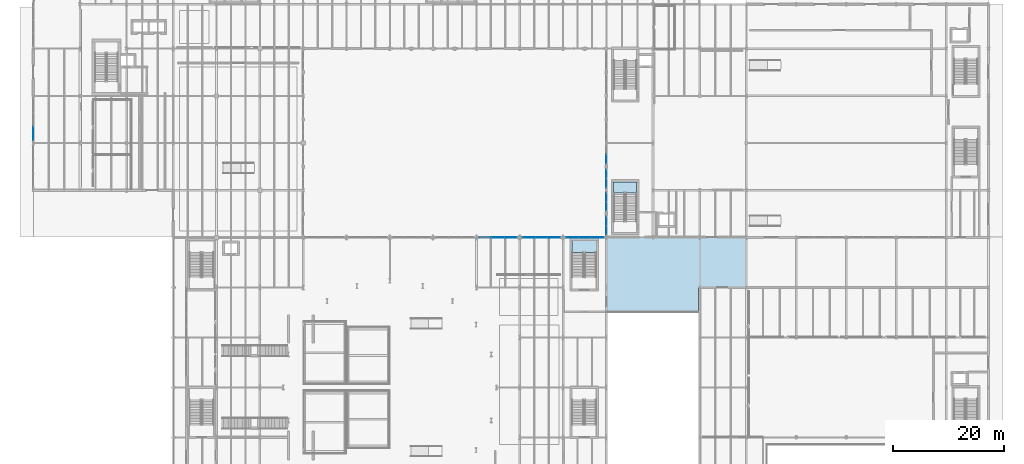
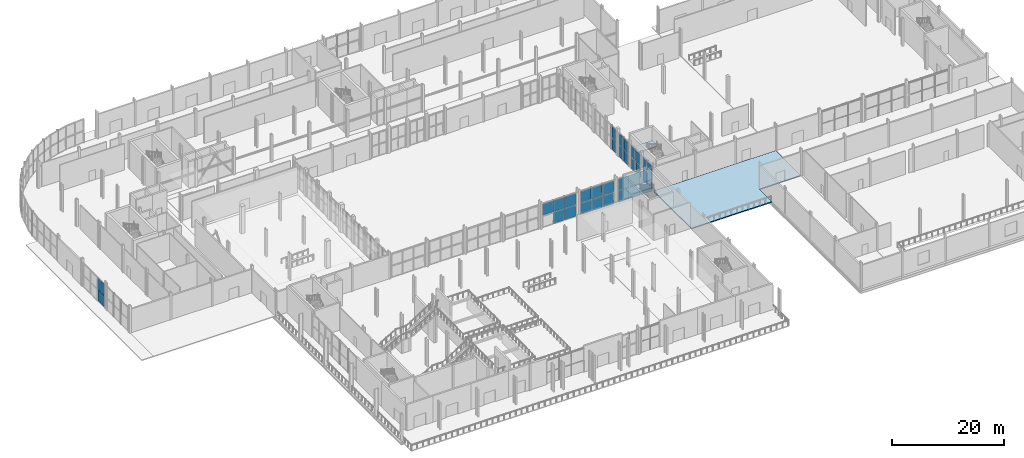
# One storey, part 47 of 84: 33 plates, 3 slabs, 10 elements without a shape of their own.
"""IFC4 building model written with IfcOpenShell, lengths in metres."""

from ifc_helpers import new_model, si_unit, direction, frame, origin, origin_2d, place, context, subcontext, project, spatial, polyline, rectangle, outline, extrude, material, layer, layer_set, type_object, element, aggregate, save


model = new_model("IFC4")

# Units and contexts
model_context = context("Model", 3, precision=1e-05, world=origin(), true_north=direction((0.0, 1.0)))
body_context = subcontext(model_context, "Body", "Model", "MODEL_VIEW")
ifc_project = project(units=[si_unit("LENGTHUNIT", "METRE"), si_unit("AREAUNIT", "SQUARE_METRE"), si_unit("VOLUMEUNIT", "CUBIC_METRE"), si_unit("PLANEANGLEUNIT", "RADIAN"), si_unit("MASSUNIT", "GRAM", prefix="KILO")], contexts=[model_context])

# Site, building, storey
site_placement = place(None, origin())
site = spatial("IfcSite", under=ifc_project, at=site_placement, CompositionType="ELEMENT")
building_placement = place(site_placement, origin())
building = spatial("IfcBuilding", under=site, at=building_placement, Name="Sefraquen Railside Congress Hotel", CompositionType="ELEMENT")
storey_placement = place(building_placement, origin())
storey = spatial("IfcBuildingStorey", under=building, at=storey_placement, Name="L00", CompositionType="ELEMENT", Elevation=0.0)

# Curtain wall, plates
ifc_material_1 = material(Name="Thermally broken anodised aluminium and low-E double glazing", Category="aluminium")
ifc_layer_1 = layer(ifc_material_1, 0.199951171875)
ifc_layer_set_1 = layer_set([ifc_layer_1], Name="Thermally broken anodised aluminium and low-E double glazing")
curtain_wall_type_1 = type_object("IfcCurtainWallType", Name="TCW-UCW-08", PredefinedType="USERDEFINED", material=ifc_layer_set_1)
curtain_wall_1_placement = place(storey_placement, origin())
curtain_wall_1 = element("IfcCurtainWall", 1, at=curtain_wall_1_placement, inside=storey, type_object=curtain_wall_type_1, Name="Congress courtyard north curtain wall L00-3", ObjectType="UNITISED CURTAIN WALL", PredefinedType="USERDEFINED")
ifc_material_2 = material(Name="Solar-control low-E double glazing", Category="glass")
ifc_layer_2 = layer(ifc_material_2, 0.02392578125)
ifc_layer_set_2 = layer_set([ifc_layer_2], Name="Solar-control low-E double glazing")
plate_type_1 = type_object("IfcPlateType", Name="TP-CWP-01", PredefinedType="CURTAIN_PANEL", material=ifc_layer_set_2)
plate_1_placement = place(storey_placement, frame((83.679931640625, 54.0, 0.0400390625), z_axis=(0.0, 0.0, 1.0), x_axis=(1.0, 0.0, 0.0)))
plate_1 = element("IfcPlate", 2, at=plate_1_placement, type_object=plate_type_1, Name="CW-L00-008 panel 1.2", PredefinedType="CURTAIN_PANEL", context=body_context, shape_type="SweptSolid", body=[
    extrude(rectangle(XDim=2.203369140625, YDim=0.02392578125, at=origin_2d()), origin(), (0.0, 0.0, 1.0), 2.4951171875),
])
plate_2_placement = place(storey_placement, frame((85.973388671875, 54.0, 0.0400390625), z_axis=(0.0, 0.0, 1.0), x_axis=(1.0, 0.0, 0.0)))
plate_2 = element("IfcPlate", 3, at=plate_2_placement, type_object=plate_type_1, Name="CW-L00-008 panel 1.3", PredefinedType="CURTAIN_PANEL", context=body_context, shape_type="SweptSolid", body=[
    extrude(rectangle(XDim=2.203369140625, YDim=0.02392578125, at=origin_2d()), origin(), (0.0, 0.0, 1.0), 2.4951171875),
])

curtain_wall_2_placement = place(storey_placement, origin())
curtain_wall_2 = element("IfcCurtainWall", 4, at=curtain_wall_2_placement, inside=storey, type_object=curtain_wall_type_1, Name="Congress courtyard north curtain wall L00-3 bay 2", ObjectType="UNITISED CURTAIN WALL", PredefinedType="USERDEFINED")
plate_3_placement = place(storey_placement, frame((89.219970703125, 54.0, 0.0400390625), z_axis=(0.0, 0.0, 1.0), x_axis=(1.0, 0.0, 0.0)))
plate_3 = element("IfcPlate", 5, at=plate_3_placement, type_object=plate_type_1, Name="CW-L00-008-S2 panel 1.1", PredefinedType="CURTAIN_PANEL", context=body_context, shape_type="SweptSolid", body=[
    extrude(rectangle(XDim=2.18994140625, YDim=0.02392578125, at=origin_2d()), origin(), (0.0, 0.0, 1.0), 2.4951171875),
])
plate_4_placement = place(storey_placement, frame((91.5, 54.0, 0.0400390625), z_axis=(0.0, 0.0, 1.0), x_axis=(1.0, 0.0, 0.0)))
plate_4 = element("IfcPlate", 6, at=plate_4_placement, type_object=plate_type_1, Name="CW-L00-008-S2 panel 1.2", PredefinedType="CURTAIN_PANEL", context=body_context, shape_type="SweptSolid", body=[
    extrude(rectangle(XDim=2.18994140625, YDim=0.02392578125, at=origin_2d()), origin(), (0.0, 0.0, 1.0), 2.4951171875),
])
plate_5_placement = place(storey_placement, frame((93.780029296875, 54.0, 0.0400390625), z_axis=(0.0, 0.0, 1.0), x_axis=(1.0, 0.0, 0.0)))
plate_5 = element("IfcPlate", 7, at=plate_5_placement, type_object=plate_type_1, Name="CW-L00-008-S2 panel 1.3", PredefinedType="CURTAIN_PANEL", context=body_context, shape_type="SweptSolid", body=[
    extrude(rectangle(XDim=2.18994140625, YDim=0.02392578125, at=origin_2d()), origin(), (0.0, 0.0, 1.0), 2.4951171875),
])

curtain_wall_3_placement = place(storey_placement, origin())
curtain_wall_3 = element("IfcCurtainWall", 8, at=curtain_wall_3_placement, inside=storey, type_object=curtain_wall_type_1, Name="Congress courtyard north curtain wall L00-3 bay 3", ObjectType="UNITISED CURTAIN WALL", PredefinedType="USERDEFINED")
plate_6_placement = place(storey_placement, frame((97.026611328125, 54.0, 0.0400390625), z_axis=(0.0, 0.0, 1.0), x_axis=(1.0, 0.0, 0.0)))
plate_6 = element("IfcPlate", 9, at=plate_6_placement, type_object=plate_type_1, Name="CW-L00-008-S3 panel 1.1", PredefinedType="CURTAIN_PANEL", context=body_context, shape_type="SweptSolid", body=[
    extrude(rectangle(XDim=2.203369140625, YDim=0.02392578125, at=origin_2d()), origin(), (0.0, 0.0, 1.0), 2.4951171875),
])
plate_7_placement = place(storey_placement, frame((99.320068359375, 54.0, 0.0400390625), z_axis=(0.0, 0.0, 1.0), x_axis=(1.0, 0.0, 0.0)))
plate_7 = element("IfcPlate", 10, at=plate_7_placement, type_object=plate_type_1, Name="CW-L00-008-S3 panel 1.2", PredefinedType="CURTAIN_PANEL", context=body_context, shape_type="SweptSolid", body=[
    extrude(rectangle(XDim=2.203369140625, YDim=0.02392578125, at=origin_2d()), origin(), (0.0, 0.0, 1.0), 2.4951171875),
])
plate_8_placement = place(storey_placement, frame((101.61328125, 54.0, 0.0400390625), z_axis=(0.0, 0.0, 1.0), x_axis=(1.0, 0.0, 0.0)))
plate_8 = element("IfcPlate", 11, at=plate_8_placement, type_object=plate_type_1, Name="CW-L00-008-S3 panel 1.3", PredefinedType="CURTAIN_PANEL", context=body_context, shape_type="SweptSolid", body=[
    extrude(rectangle(XDim=2.203369140625, YDim=0.02392578125, at=origin_2d()), origin(), (0.0, 0.0, 1.0), 2.4951171875),
])

ifc_layer_3 = layer(ifc_material_1, 0.199951171875)
ifc_layer_set_3 = layer_set([ifc_layer_3], Name="Thermally broken anodised aluminium and low-E double glazing")
curtain_wall_type_2 = type_object("IfcCurtainWallType", Name="TCW-UCW-16", PredefinedType="USERDEFINED", material=ifc_layer_set_3)
curtain_wall_4_placement = place(storey_placement, origin())
curtain_wall_4 = element("IfcCurtainWall", 12, at=curtain_wall_4_placement, inside=storey, type_object=curtain_wall_type_2, Name="Courtyard east arcade curtain wall UCW-16", ObjectType="UNITISED CURTAIN WALL", PredefinedType="USERDEFINED")
plate_9_placement = place(storey_placement, frame((103.199951171875, 55.2724609375, 0.0400390625), z_axis=(0.0, 0.0, 1.0), x_axis=(0.0, 1.0, 0.0)))
plate_9 = element("IfcPlate", 13, at=plate_9_placement, type_object=plate_type_1, Name="CW-L00-016 panel 1.1", PredefinedType="CURTAIN_PANEL", context=body_context, shape_type="SweptSolid", body=[
    extrude(rectangle(XDim=1.574951171875, YDim=0.02392578125, at=origin_2d()), origin(), (0.0, 0.0, 1.0), 2.4951171875),
])
plate_10_placement = place(storey_placement, frame((103.199951171875, 56.9375, 0.0400390625), z_axis=(0.0, 0.0, 1.0), x_axis=(0.0, 1.0, 0.0)))
plate_10 = element("IfcPlate", 14, at=plate_10_placement, type_object=plate_type_1, Name="CW-L00-016 panel 1.2", PredefinedType="CURTAIN_PANEL", context=body_context, shape_type="SweptSolid", body=[
    extrude(rectangle(XDim=1.574951171875, YDim=0.02392578125, at=origin_2d()), origin(), (0.0, 0.0, 1.0), 2.4951171875),
])

curtain_wall_5_placement = place(storey_placement, origin())
curtain_wall_5 = element("IfcCurtainWall", 15, at=curtain_wall_5_placement, inside=storey, type_object=curtain_wall_type_2, Name="Courtyard east arcade curtain wall UCW-16 bay 2", ObjectType="UNITISED CURTAIN WALL", PredefinedType="USERDEFINED")
plate_11_placement = place(storey_placement, frame((103.199951171875, 59.5625, 0.0400390625), z_axis=(0.0, 0.0, 1.0), x_axis=(0.0, 1.0, 0.0)))
plate_11 = element("IfcPlate", 16, at=plate_11_placement, type_object=plate_type_1, Name="CW-L00-016-S2 panel 1.1", PredefinedType="CURTAIN_PANEL", context=body_context, shape_type="SweptSolid", body=[
    extrude(rectangle(XDim=1.574951171875, YDim=0.02392578125, at=origin_2d()), origin(), (0.0, 0.0, 1.0), 2.4951171875),
])
plate_12_placement = place(storey_placement, frame((103.199951171875, 61.2275390625, 0.0400390625), z_axis=(0.0, 0.0, 1.0), x_axis=(0.0, 1.0, 0.0)))
plate_12 = element("IfcPlate", 17, at=plate_12_placement, type_object=plate_type_1, Name="CW-L00-016-S2 panel 1.2", PredefinedType="CURTAIN_PANEL", context=body_context, shape_type="SweptSolid", body=[
    extrude(rectangle(XDim=1.574951171875, YDim=0.02392578125, at=origin_2d()), origin(), (0.0, 0.0, 1.0), 2.4951171875),
])

ifc_layer_4 = layer(ifc_material_1, 0.199951171875)
ifc_layer_set_4 = layer_set([ifc_layer_4], Name="Thermally broken anodised aluminium and low-E double glazing")
curtain_wall_type_3 = type_object("IfcCurtainWallType", Name="TCW-UCW-18", PredefinedType="USERDEFINED", material=ifc_layer_set_4)
curtain_wall_6_placement = place(storey_placement, origin())
curtain_wall_6 = element("IfcCurtainWall", 18, at=curtain_wall_6_placement, inside=storey, type_object=curtain_wall_type_3, Name="Courtyard east arcade curtain wall UCW-18", ObjectType="UNITISED CURTAIN WALL", PredefinedType="USERDEFINED")
plate_13_placement = place(storey_placement, frame((103.199951171875, 63.7724609375, 0.0400390625), z_axis=(0.0, 0.0, 1.0), x_axis=(0.0, 1.0, 0.0)))
plate_13 = element("IfcPlate", 19, at=plate_13_placement, type_object=plate_type_1, Name="CW-L00-018 panel 1.1", PredefinedType="CURTAIN_PANEL", context=body_context, shape_type="SweptSolid", body=[
    extrude(rectangle(XDim=1.574951171875, YDim=0.02392578125, at=origin_2d()), origin(), (0.0, 0.0, 1.0), 2.4951171875),
])
plate_14_placement = place(storey_placement, frame((103.199951171875, 65.4375, 0.0400390625), z_axis=(0.0, 0.0, 1.0), x_axis=(0.0, 1.0, 0.0)))
plate_14 = element("IfcPlate", 20, at=plate_14_placement, type_object=plate_type_1, Name="CW-L00-018 panel 1.2", PredefinedType="CURTAIN_PANEL", context=body_context, shape_type="SweptSolid", body=[
    extrude(rectangle(XDim=1.574951171875, YDim=0.02392578125, at=origin_2d()), origin(), (0.0, 0.0, 1.0), 2.4951171875),
])

# Curtain wall, plate
curtain_wall_7_placement = place(storey_placement, origin())
curtain_wall_7 = element("IfcCurtainWall", 21, at=curtain_wall_7_placement, inside=storey, type_object=curtain_wall_type_3, Name="Courtyard east arcade curtain wall UCW-18 bay 2", ObjectType="UNITISED CURTAIN WALL", PredefinedType="USERDEFINED")
plate_15_placement = place(storey_placement, frame((103.199951171875, 68.0625, 0.0400390625), z_axis=(0.0, 0.0, 1.0), x_axis=(0.0, 1.0, 0.0)))
plate_15 = element("IfcPlate", 22, at=plate_15_placement, type_object=plate_type_1, Name="CW-L00-018-S2 panel 1.1", PredefinedType="CURTAIN_PANEL", context=body_context, shape_type="SweptSolid", body=[
    extrude(rectangle(XDim=1.574951171875, YDim=0.02392578125, at=origin_2d()), origin(), (0.0, 0.0, 1.0), 2.4951171875),
])

ifc_layer_5 = layer(ifc_material_1, 0.199951171875)
ifc_layer_set_5 = layer_set([ifc_layer_5], Name="Thermally broken anodised aluminium and low-E double glazing")
curtain_wall_type_4 = type_object("IfcCurtainWallType", Name="TCW-UCW-26", PredefinedType="USERDEFINED", material=ifc_layer_set_5)
curtain_wall_8_placement = place(storey_placement, origin())
curtain_wall_8 = element("IfcCurtainWall", 23, at=curtain_wall_8_placement, inside=storey, type_object=curtain_wall_type_4, Name="Hotel West Forecourt curtain wall UCW-26", ObjectType="UNITISED CURTAIN WALL", PredefinedType="USERDEFINED")
plate_16_placement = place(storey_placement, frame((0.0, 72.7099609375, 0.0400390625), z_axis=(0.0, 0.0, 1.0), x_axis=(0.0, 1.0, 0.0)))
plate_16 = element("IfcPlate", 24, at=plate_16_placement, type_object=plate_type_1, Name="CW-L00-026 panel 1.1", PredefinedType="CURTAIN_PANEL", context=body_context, shape_type="SweptSolid", body=[
    extrude(rectangle(XDim=2.449951171875, YDim=0.02392578125, at=origin_2d()), origin(), (0.0, 0.0, 1.0), 2.4951171875),
])

# Plate
ifc_material_3 = material(Name="Triple acoustic solar-control glazing", Category="glass")
ifc_layer_6 = layer(ifc_material_3, 0.031982421875)
ifc_layer_set_6 = layer_set([ifc_layer_6], Name="Triple acoustic solar-control glazing")
plate_type_2 = type_object("IfcPlateType", Name="TP-CWP-02", PredefinedType="CURTAIN_PANEL", material=ifc_layer_set_6)
plate_17_placement = place(storey_placement, frame((81.38671875, 54.0, 2.614990234375), z_axis=(0.0, 0.0, 1.0), x_axis=(1.0, 0.0, 0.0)))
plate_17 = element("IfcPlate", 25, at=plate_17_placement, type_object=plate_type_2, Name="CW-L00-008 panel 2.1", PredefinedType="CURTAIN_PANEL", context=body_context, shape_type="SweptSolid", body=[
    extrude(rectangle(XDim=2.203369140625, YDim=0.031982421875, at=origin_2d()), origin(), (0.0, 0.0, 1.0), 2.4951171875),
])

plate_18_placement = place(storey_placement, frame((83.679931640625, 54.0, 2.614990234375), z_axis=(0.0, 0.0, 1.0), x_axis=(1.0, 0.0, 0.0)))
plate_18 = element("IfcPlate", 26, at=plate_18_placement, type_object=plate_type_2, Name="CW-L00-008 panel 2.2", PredefinedType="CURTAIN_PANEL", context=body_context, shape_type="SweptSolid", body=[
    extrude(rectangle(XDim=2.203369140625, YDim=0.031982421875, at=origin_2d()), origin(), (0.0, 0.0, 1.0), 2.4951171875),
])

plate_19_placement = place(storey_placement, frame((85.973388671875, 54.0, 2.614990234375), z_axis=(0.0, 0.0, 1.0), x_axis=(1.0, 0.0, 0.0)))
plate_19 = element("IfcPlate", 27, at=plate_19_placement, type_object=plate_type_2, Name="CW-L00-008 panel 2.3", PredefinedType="CURTAIN_PANEL", context=body_context, shape_type="SweptSolid", body=[
    extrude(rectangle(XDim=2.203369140625, YDim=0.031982421875, at=origin_2d()), origin(), (0.0, 0.0, 1.0), 2.4951171875),
])

aggregate(curtain_wall_1, [plate_1, plate_2, plate_17, plate_18, plate_19])

plate_20_placement = place(storey_placement, frame((89.219970703125, 54.0, 2.614990234375), z_axis=(0.0, 0.0, 1.0), x_axis=(1.0, 0.0, 0.0)))
plate_20 = element("IfcPlate", 28, at=plate_20_placement, type_object=plate_type_2, Name="CW-L00-008-S2 panel 2.1", PredefinedType="CURTAIN_PANEL", context=body_context, shape_type="SweptSolid", body=[
    extrude(rectangle(XDim=2.18994140625, YDim=0.031982421875, at=origin_2d()), origin(), (0.0, 0.0, 1.0), 2.4951171875),
])

plate_21_placement = place(storey_placement, frame((91.5, 54.0, 2.614990234375), z_axis=(0.0, 0.0, 1.0), x_axis=(1.0, 0.0, 0.0)))
plate_21 = element("IfcPlate", 29, at=plate_21_placement, type_object=plate_type_2, Name="CW-L00-008-S2 panel 2.2", PredefinedType="CURTAIN_PANEL", context=body_context, shape_type="SweptSolid", body=[
    extrude(rectangle(XDim=2.18994140625, YDim=0.031982421875, at=origin_2d()), origin(), (0.0, 0.0, 1.0), 2.4951171875),
])

plate_22_placement = place(storey_placement, frame((93.780029296875, 54.0, 2.614990234375), z_axis=(0.0, 0.0, 1.0), x_axis=(1.0, 0.0, 0.0)))
plate_22 = element("IfcPlate", 30, at=plate_22_placement, type_object=plate_type_2, Name="CW-L00-008-S2 panel 2.3", PredefinedType="CURTAIN_PANEL", context=body_context, shape_type="SweptSolid", body=[
    extrude(rectangle(XDim=2.18994140625, YDim=0.031982421875, at=origin_2d()), origin(), (0.0, 0.0, 1.0), 2.4951171875),
])

aggregate(curtain_wall_2, [plate_3, plate_4, plate_5, plate_20, plate_21, plate_22])

plate_23_placement = place(storey_placement, frame((97.026611328125, 54.0, 2.614990234375), z_axis=(0.0, 0.0, 1.0), x_axis=(1.0, 0.0, 0.0)))
plate_23 = element("IfcPlate", 31, at=plate_23_placement, type_object=plate_type_2, Name="CW-L00-008-S3 panel 2.1", PredefinedType="CURTAIN_PANEL", context=body_context, shape_type="SweptSolid", body=[
    extrude(rectangle(XDim=2.203369140625, YDim=0.031982421875, at=origin_2d()), origin(), (0.0, 0.0, 1.0), 2.4951171875),
])

plate_24_placement = place(storey_placement, frame((99.320068359375, 54.0, 2.614990234375), z_axis=(0.0, 0.0, 1.0), x_axis=(1.0, 0.0, 0.0)))
plate_24 = element("IfcPlate", 32, at=plate_24_placement, type_object=plate_type_2, Name="CW-L00-008-S3 panel 2.2", PredefinedType="CURTAIN_PANEL", context=body_context, shape_type="SweptSolid", body=[
    extrude(rectangle(XDim=2.203369140625, YDim=0.031982421875, at=origin_2d()), origin(), (0.0, 0.0, 1.0), 2.4951171875),
])

plate_25_placement = place(storey_placement, frame((101.61328125, 54.0, 2.614990234375), z_axis=(0.0, 0.0, 1.0), x_axis=(1.0, 0.0, 0.0)))
plate_25 = element("IfcPlate", 33, at=plate_25_placement, type_object=plate_type_2, Name="CW-L00-008-S3 panel 2.3", PredefinedType="CURTAIN_PANEL", context=body_context, shape_type="SweptSolid", body=[
    extrude(rectangle(XDim=2.203369140625, YDim=0.031982421875, at=origin_2d()), origin(), (0.0, 0.0, 1.0), 2.4951171875),
])

aggregate(curtain_wall_3, [plate_6, plate_7, plate_8, plate_23, plate_24, plate_25])

plate_26_placement = place(storey_placement, frame((103.199951171875, 55.2724609375, 2.614990234375), z_axis=(0.0, 0.0, 1.0), x_axis=(0.0, 1.0, 0.0)))
plate_26 = element("IfcPlate", 34, at=plate_26_placement, type_object=plate_type_2, Name="CW-L00-016 panel 2.1", PredefinedType="CURTAIN_PANEL", context=body_context, shape_type="SweptSolid", body=[
    extrude(rectangle(XDim=1.574951171875, YDim=0.031982421875, at=origin_2d()), origin(), (0.0, 0.0, 1.0), 2.4951171875),
])

plate_27_placement = place(storey_placement, frame((103.199951171875, 56.9375, 2.614990234375), z_axis=(0.0, 0.0, 1.0), x_axis=(0.0, 1.0, 0.0)))
plate_27 = element("IfcPlate", 35, at=plate_27_placement, type_object=plate_type_2, Name="CW-L00-016 panel 2.2", PredefinedType="CURTAIN_PANEL", context=body_context, shape_type="SweptSolid", body=[
    extrude(rectangle(XDim=1.574951171875, YDim=0.031982421875, at=origin_2d()), origin(), (0.0, 0.0, 1.0), 2.4951171875),
])

aggregate(curtain_wall_4, [plate_9, plate_10, plate_26, plate_27])

plate_28_placement = place(storey_placement, frame((103.199951171875, 59.5625, 2.614990234375), z_axis=(0.0, 0.0, 1.0), x_axis=(0.0, 1.0, 0.0)))
plate_28 = element("IfcPlate", 36, at=plate_28_placement, type_object=plate_type_2, Name="CW-L00-016-S2 panel 2.1", PredefinedType="CURTAIN_PANEL", context=body_context, shape_type="SweptSolid", body=[
    extrude(rectangle(XDim=1.574951171875, YDim=0.031982421875, at=origin_2d()), origin(), (0.0, 0.0, 1.0), 2.4951171875),
])

plate_29_placement = place(storey_placement, frame((103.199951171875, 61.2275390625, 2.614990234375), z_axis=(0.0, 0.0, 1.0), x_axis=(0.0, 1.0, 0.0)))
plate_29 = element("IfcPlate", 37, at=plate_29_placement, type_object=plate_type_2, Name="CW-L00-016-S2 panel 2.2", PredefinedType="CURTAIN_PANEL", context=body_context, shape_type="SweptSolid", body=[
    extrude(rectangle(XDim=1.574951171875, YDim=0.031982421875, at=origin_2d()), origin(), (0.0, 0.0, 1.0), 2.4951171875),
])

aggregate(curtain_wall_5, [plate_11, plate_12, plate_28, plate_29])

plate_30_placement = place(storey_placement, frame((103.199951171875, 63.7724609375, 2.614990234375), z_axis=(0.0, 0.0, 1.0), x_axis=(0.0, 1.0, 0.0)))
plate_30 = element("IfcPlate", 38, at=plate_30_placement, type_object=plate_type_2, Name="CW-L00-018 panel 2.1", PredefinedType="CURTAIN_PANEL", context=body_context, shape_type="SweptSolid", body=[
    extrude(rectangle(XDim=1.574951171875, YDim=0.031982421875, at=origin_2d()), origin(), (0.0, 0.0, 1.0), 2.4951171875),
])

plate_31_placement = place(storey_placement, frame((103.199951171875, 65.4375, 2.614990234375), z_axis=(0.0, 0.0, 1.0), x_axis=(0.0, 1.0, 0.0)))
plate_31 = element("IfcPlate", 39, at=plate_31_placement, type_object=plate_type_2, Name="CW-L00-018 panel 2.2", PredefinedType="CURTAIN_PANEL", context=body_context, shape_type="SweptSolid", body=[
    extrude(rectangle(XDim=1.574951171875, YDim=0.031982421875, at=origin_2d()), origin(), (0.0, 0.0, 1.0), 2.4951171875),
])

aggregate(curtain_wall_6, [plate_13, plate_14, plate_30, plate_31])

plate_32_placement = place(storey_placement, frame((103.199951171875, 68.0625, 2.614990234375), z_axis=(0.0, 0.0, 1.0), x_axis=(0.0, 1.0, 0.0)))
plate_32 = element("IfcPlate", 40, at=plate_32_placement, type_object=plate_type_2, Name="CW-L00-018-S2 panel 2.1", PredefinedType="CURTAIN_PANEL", context=body_context, shape_type="SweptSolid", body=[
    extrude(rectangle(XDim=1.574951171875, YDim=0.031982421875, at=origin_2d()), origin(), (0.0, 0.0, 1.0), 2.4951171875),
])

aggregate(curtain_wall_7, [plate_15, plate_32])

plate_33_placement = place(storey_placement, frame((0.0, 72.7099609375, 2.614990234375), z_axis=(0.0, 0.0, 1.0), x_axis=(0.0, 1.0, 0.0)))
plate_33 = element("IfcPlate", 41, at=plate_33_placement, type_object=plate_type_2, Name="CW-L00-026 panel 2.1", PredefinedType="CURTAIN_PANEL", context=body_context, shape_type="SweptSolid", body=[
    extrude(rectangle(XDim=2.449951171875, YDim=0.031982421875, at=origin_2d()), origin(), (0.0, 0.0, 1.0), 2.4951171875),
])

aggregate(curtain_wall_8, [plate_16, plate_33])

# Slab
ifc_material_4 = material(Name="Concrete C40/50", Category="concrete")
ifc_layer_7 = layer(ifc_material_4, 0.219970703125)
ifc_layer_set_7 = layer_set([ifc_layer_7], Name="Concrete C40/50")
slab_type_1 = type_object("IfcSlabType", Name="TS-FS-220", PredefinedType="FLOOR", material=ifc_layer_set_7)
slab_1_placement = place(storey_placement, frame((0.0, 0.0, -0.219970703125)))
element("IfcSlab", 42, at=slab_1_placement, inside=storey, type_object=slab_type_1, Name="South-west garden court promenade paving", ObjectType="PAVING", PredefinedType="USERDEFINED", context=body_context, shape_type="SweptSolid", body=[
    extrude(outline(polyline([(103.199951171875, 40.5), (119.800048828125, 40.5), (119.800048828125, 45.0), (128.35009765625, 45.0), (128.35009765625, 53.949951171875), (103.199951171875, 53.949951171875), (103.199951171875, 40.5)])), origin(), (0.0, 0.0, 1.0), 0.219970703125),
])

# Stair, slab
stair_type_1 = type_object("IfcStairType", Name="TST-DOG-198-540", PredefinedType="HALF_TURN_STAIR", material=ifc_material_4)
stair_1_placement = place(storey_placement, origin())
stair_1 = element("IfcStair", 43, at=stair_1_placement, inside=storey, type_object=stair_type_1, Name="L00 Pressurized escape stair ST-M02", PredefinedType="HALF_TURN_STAIR")
ifc_layer_8 = layer(ifc_material_4, 0.199951171875)
ifc_layer_set_8 = layer_set([ifc_layer_8], Name="Concrete C40/50")
slab_type_2 = type_object("IfcSlabType", Name="TS-LD-200", PredefinedType="LANDING", material=ifc_layer_set_8)
slab_2_placement = place(storey_placement, frame((0.0, 0.0, 2.800048828125)))
slab_2 = element("IfcSlab", 44, at=slab_2_placement, type_object=slab_type_2, Name="ST-M02 landing 1", PredefinedType="LANDING", context=body_context, shape_type="SweptSolid", body=[
    extrude(outline(polyline([(108.659912109375, 62.031982421875), (108.659912109375, 64.011962890625), (104.5, 64.011962890625), (104.5, 62.031982421875), (108.659912109375, 62.031982421875)])), origin(), (0.0, 0.0, 1.0), 0.199951171875),
])
aggregate(stair_1, [slab_2])

stair_type_2 = type_object("IfcStairType", Name="TST-DOG-210-450", PredefinedType="HALF_TURN_STAIR", material=ifc_material_4)
stair_2_placement = place(storey_placement, origin())
stair_2 = element("IfcStair", 45, at=stair_2_placement, inside=storey, type_object=stair_type_2, Name="L00 Pressurized escape stair ST-C04", PredefinedType="HALF_TURN_STAIR")
slab_3_placement = place(storey_placement, frame((0.0, 0.0, 2.800048828125)))
slab_3 = element("IfcSlab", 46, at=slab_3_placement, type_object=slab_type_2, Name="ST-C04 landing 1", PredefinedType="LANDING", context=body_context, shape_type="SweptSolid", body=[
    extrude(outline(polyline([(101.39990234375, 51.330078125), (101.39990234375, 53.429931640625), (97.0, 53.429931640625), (97.0, 51.330078125), (101.39990234375, 51.330078125)])), origin(), (0.0, 0.0, 1.0), 0.199951171875),
])
aggregate(stair_2, [slab_3])

save(model, "model.ifc")
